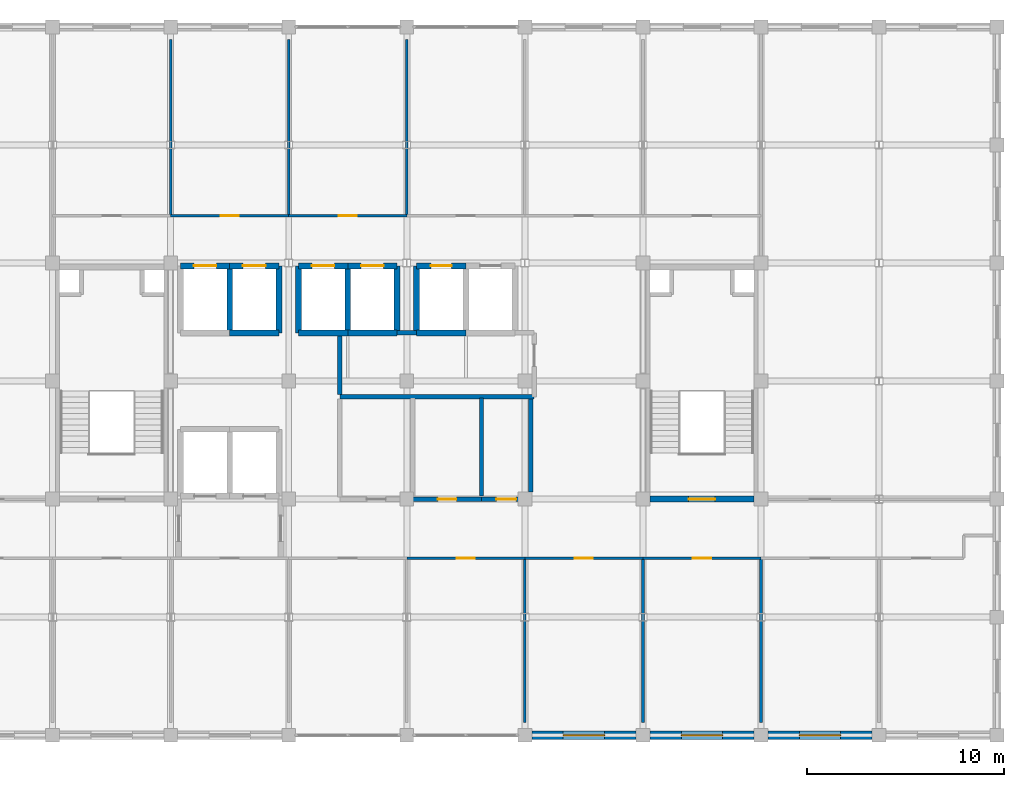
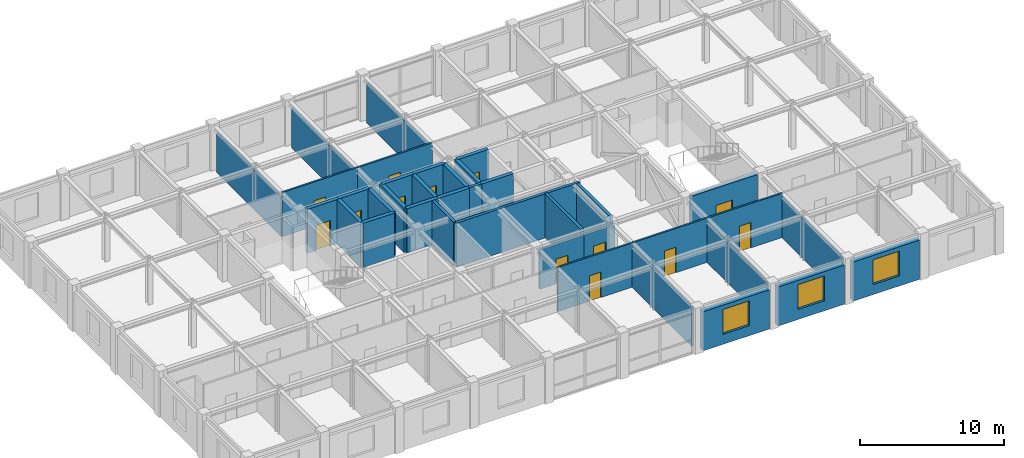
# One storey, part 11 of 14: 37 walls, 13 doors, 3 windows, 16 openings.
"""IFC4 building model written with IfcOpenShell, lengths in metres."""

from ifc_helpers import new_model, si_unit, direction, frame, frame_2d, origin, place, context, subcontext, project, spatial, rectangle, extrude, material, layer, layer_set, type_object, element, fill, save


model = new_model("IFC4")

# Units and contexts
model_context = context("Model", 3, precision=1e-05, world=origin(), true_north=direction((0.0, 1.0)))
body_context = subcontext(model_context, "Body", "Model", "MODEL_VIEW")
ifc_project = project(units=[si_unit("LENGTHUNIT", "METRE"), si_unit("AREAUNIT", "SQUARE_METRE"), si_unit("VOLUMEUNIT", "CUBIC_METRE"), si_unit("PLANEANGLEUNIT", "RADIAN"), si_unit("MASSUNIT", "GRAM", prefix="KILO")], contexts=[model_context])

# Site, building, storey
site_placement = place(None, origin())
site = spatial("IfcSite", under=ifc_project, at=site_placement, CompositionType="ELEMENT")
building_placement = place(site_placement, origin())
building = spatial("IfcBuilding", under=site, at=building_placement, Name="Zlatovratsky Civic Hall", CompositionType="ELEMENT")
storey_placement = place(building_placement, frame((0.0, 0.0, 28.800048828125)))
storey = spatial("IfcBuildingStorey", under=building, at=storey_placement, Name="L07", CompositionType="ELEMENT", Elevation=28.800048828125)

# Wall, opening, door
ifc_material_1 = material(Name="Fire-rated gypsum board framing", Category="gypsum")
ifc_layer_1 = layer(ifc_material_1, 0.139892578125)
ifc_layer_set_1 = layer_set([ifc_layer_1], Name="Fire-rated gypsum board framing")
wall_type_1 = type_object("IfcWallType", Name="Wall_OfficePartition_140", PredefinedType="PARTITIONING", material=ifc_layer_set_1)
wall_1_placement = place(storey_placement, frame((84.0, 81.0, 0.0), z_axis=(0.0, 0.0, 1.0), x_axis=(1.0, 0.0, 0.0)))
wall_1 = element("IfcWall", 1, at=wall_1_placement, inside=storey, type_object=wall_type_1, Name="WL-6361", PredefinedType="PARTITIONING", context=body_context, shape_type="SweptSolid", body=[
    extrude(rectangle(XDim=6.0, YDim=0.139892578125, at=frame_2d((3.0, 0.0))), origin(), (0.0, 0.0, 1.0), 3.739990234375),
])
opening_1_placement = place(wall_1_placement, frame((2.5400390625, 0.0, 0.0)))
opening_1 = element("IfcOpeningElement", 2, at=opening_1_placement, cuts=wall_1, Name="Opening D-23", PredefinedType="OPENING", context=body_context, shape_type="SweptSolid", body=[
    extrude(rectangle(XDim=0.919921875, YDim=2.14990234375, at=frame_2d((0.4599609375, 1.074951171875))), frame((0.0, 0.0849609375, 0.0), z_axis=(0.0, -1.0, 0.0), x_axis=(1.0, 0.0, 0.0)), (0.0, 0.0, 1.0), 0.169677734375),
])
ifc_material_2 = material(Name="Solid oak joinery in steel frame", Category="steel")
door_type_1 = type_object("IfcDoorType", Name="Door_OfficeStandard_920x2150", OperationType="NOTDEFINED", PredefinedType="DOOR", material=ifc_material_2)
door_1_placement = place(opening_1_placement, origin())
door_1 = element("IfcDoor", 3, at=door_1_placement, inside=storey, type_object=door_type_1, Name="DR-5388", OperationType="SINGLE_SWING_RIGHT", OverallHeight=2.14990234375, OverallWidth=0.919921875, PredefinedType="DOOR", context=body_context, shape_type="SweptSolid", body=[
    extrude(rectangle(XDim=0.919921875, YDim=2.14990234375, at=frame_2d((0.4599609375, 1.074951171875))), frame((0.0, 0.02490234375, 0.0), z_axis=(0.0, -1.0, 0.0), x_axis=(1.0, 0.0, 0.0)), (0.0, 0.0, 1.0), 0.050048828125),
])
fill(opening_1, door_1)

wall_2_placement = place(storey_placement, frame((90.0, 81.0, 0.0), z_axis=(0.0, 0.0, 1.0), x_axis=(1.0, 0.0, 0.0)))
wall_2 = element("IfcWall", 4, at=wall_2_placement, inside=storey, type_object=wall_type_1, Name="WL-6362", PredefinedType="PARTITIONING", context=body_context, shape_type="SweptSolid", body=[
    extrude(rectangle(XDim=6.0, YDim=0.139892578125, at=frame_2d((3.0, 0.0))), origin(), (0.0, 0.0, 1.0), 3.739990234375),
])
opening_2_placement = place(wall_2_placement, frame((2.5400390625, 0.0, 0.0)))
opening_2 = element("IfcOpeningElement", 5, at=opening_2_placement, cuts=wall_2, Name="Opening D-23", PredefinedType="OPENING", context=body_context, shape_type="SweptSolid", body=[
    extrude(rectangle(XDim=0.919921875, YDim=2.14990234375, at=frame_2d((0.4599609375, 1.074951171875))), frame((0.0, 0.0849609375, 0.0), z_axis=(0.0, -1.0, 0.0), x_axis=(1.0, 0.0, 0.0)), (0.0, 0.0, 1.0), 0.169677734375),
])
door_2_placement = place(opening_2_placement, origin())
door_2 = element("IfcDoor", 6, at=door_2_placement, inside=storey, type_object=door_type_1, Name="DR-5389", OperationType="SINGLE_SWING_RIGHT", OverallHeight=2.14990234375, OverallWidth=0.919921875, PredefinedType="DOOR", context=body_context, shape_type="SweptSolid", body=[
    extrude(rectangle(XDim=0.919921875, YDim=2.14990234375, at=frame_2d((0.4599609375, 1.074951171875))), frame((0.0, 0.02490234375, 0.0), z_axis=(0.0, -1.0, 0.0), x_axis=(1.0, 0.0, 0.0)), (0.0, 0.0, 1.0), 0.050048828125),
])
fill(opening_2, door_2)

wall_3_placement = place(storey_placement, frame((96.0, 81.0, 0.0), z_axis=(0.0, 0.0, 1.0), x_axis=(1.0, 0.0, 0.0)))
wall_3 = element("IfcWall", 7, at=wall_3_placement, inside=storey, type_object=wall_type_1, Name="WL-6363", PredefinedType="PARTITIONING", context=body_context, shape_type="SweptSolid", body=[
    extrude(rectangle(XDim=6.0, YDim=0.139892578125, at=frame_2d((3.0, 0.0))), origin(), (0.0, 0.0, 1.0), 3.739990234375),
])
opening_3_placement = place(wall_3_placement, frame((2.5400390625, 0.0, 0.0)))
opening_3 = element("IfcOpeningElement", 8, at=opening_3_placement, cuts=wall_3, Name="Opening D-23", PredefinedType="OPENING", context=body_context, shape_type="SweptSolid", body=[
    extrude(rectangle(XDim=0.919921875, YDim=2.14990234375, at=frame_2d((0.4599609375, 1.074951171875))), frame((0.0, 0.0849609375, 0.0), z_axis=(0.0, -1.0, 0.0), x_axis=(1.0, 0.0, 0.0)), (0.0, 0.0, 1.0), 0.169677734375),
])
door_3_placement = place(opening_3_placement, origin())
door_3 = element("IfcDoor", 9, at=door_3_placement, inside=storey, type_object=door_type_1, Name="DR-5390", OperationType="SINGLE_SWING_RIGHT", OverallHeight=2.14990234375, OverallWidth=0.919921875, PredefinedType="DOOR", context=body_context, shape_type="SweptSolid", body=[
    extrude(rectangle(XDim=0.919921875, YDim=2.14990234375, at=frame_2d((0.4599609375, 1.074951171875))), frame((0.0, 0.02490234375, 0.0), z_axis=(0.0, -1.0, 0.0), x_axis=(1.0, 0.0, 0.0)), (0.0, 0.0, 1.0), 0.050048828125),
])
fill(opening_3, door_3)

wall_4_placement = place(storey_placement, frame((72.0, 98.39990234375, 0.0), z_axis=(0.0, 0.0, 1.0), x_axis=(1.0, 0.0, 0.0)))
wall_4 = element("IfcWall", 10, at=wall_4_placement, inside=storey, type_object=wall_type_1, Name="WL-6367", PredefinedType="PARTITIONING", context=body_context, shape_type="SweptSolid", body=[
    extrude(rectangle(XDim=6.0, YDim=0.139892578125, at=frame_2d((3.0, 0.0))), origin(), (0.0, 0.0, 1.0), 3.739990234375),
])
opening_4_placement = place(wall_4_placement, frame((2.5400390625, 0.0, 0.0)))
opening_4 = element("IfcOpeningElement", 11, at=opening_4_placement, cuts=wall_4, Name="Opening D-23", PredefinedType="OPENING", context=body_context, shape_type="SweptSolid", body=[
    extrude(rectangle(XDim=0.919921875, YDim=2.14990234375, at=frame_2d((0.4599609375, 1.074951171875))), frame((0.0, 0.0849609375, 0.0), z_axis=(0.0, -1.0, 0.0), x_axis=(1.0, 0.0, 0.0)), (0.0, 0.0, 1.0), 0.169677734375),
])
door_4_placement = place(opening_4_placement, origin())
door_4 = element("IfcDoor", 12, at=door_4_placement, inside=storey, type_object=door_type_1, Name="DR-5394", OperationType="SINGLE_SWING_RIGHT", OverallHeight=2.14990234375, OverallWidth=0.919921875, PredefinedType="DOOR", context=body_context, shape_type="SweptSolid", body=[
    extrude(rectangle(XDim=0.919921875, YDim=2.14990234375, at=frame_2d((0.4599609375, 1.074951171875))), frame((0.0, 0.02490234375, 0.0), z_axis=(0.0, -1.0, 0.0), x_axis=(1.0, 0.0, 0.0)), (0.0, 0.0, 1.0), 0.050048828125),
])
fill(opening_4, door_4)

wall_5_placement = place(storey_placement, frame((78.0, 98.39990234375, 0.0), z_axis=(0.0, 0.0, 1.0), x_axis=(1.0, 0.0, 0.0)))
wall_5 = element("IfcWall", 13, at=wall_5_placement, inside=storey, type_object=wall_type_1, Name="WL-6368", PredefinedType="PARTITIONING", context=body_context, shape_type="SweptSolid", body=[
    extrude(rectangle(XDim=6.0, YDim=0.139892578125, at=frame_2d((3.0, 0.0))), origin(), (0.0, 0.0, 1.0), 3.739990234375),
])
opening_5_placement = place(wall_5_placement, frame((2.5400390625, 0.0, 0.0)))
opening_5 = element("IfcOpeningElement", 14, at=opening_5_placement, cuts=wall_5, Name="Opening D-23", PredefinedType="OPENING", context=body_context, shape_type="SweptSolid", body=[
    extrude(rectangle(XDim=0.919921875, YDim=2.14990234375, at=frame_2d((0.4599609375, 1.074951171875))), frame((0.0, 0.0849609375, 0.0), z_axis=(0.0, -1.0, 0.0), x_axis=(1.0, 0.0, 0.0)), (0.0, 0.0, 1.0), 0.169677734375),
])
door_5_placement = place(opening_5_placement, origin())
door_5 = element("IfcDoor", 15, at=door_5_placement, inside=storey, type_object=door_type_1, Name="DR-5395", OperationType="SINGLE_SWING_RIGHT", OverallHeight=2.14990234375, OverallWidth=0.919921875, PredefinedType="DOOR", context=body_context, shape_type="SweptSolid", body=[
    extrude(rectangle(XDim=0.919921875, YDim=2.14990234375, at=frame_2d((0.4599609375, 1.074951171875))), frame((0.0, 0.02490234375, 0.0), z_axis=(0.0, -1.0, 0.0), x_axis=(1.0, 0.0, 0.0)), (0.0, 0.0, 1.0), 0.050048828125),
])
fill(opening_5, door_5)

# Walls
for number, where, z_axis, x_axis, name in (
    (16, (90.0, 72.64990234375, 0.0), (0.0, 0.0, 1.0), (0.0, 1.0, 0.0), "WL-6379"),
    (17, (96.0, 72.64990234375, 0.0), (0.0, 0.0, 1.0), (0.0, 1.0, 0.0), "WL-6380"),
    (18, (102.0, 72.64990234375, 0.0), (0.0, 0.0, 1.0), (0.0, 1.0, 0.0), "WL-6381"),
):
    element("IfcWall", number, at=place(storey_placement, frame(where, z_axis=z_axis, x_axis=x_axis)), inside=storey, type_object=wall_type_1, Name=name, PredefinedType="PARTITIONING", context=body_context, shape_type="SweptSolid", body=[
        extrude(rectangle(XDim=8.35009765625, YDim=0.139892578125, at=frame_2d((4.175048828125, 0.0))), origin(), (0.0, 0.0, 1.0), 3.35205078125),
    ])
for number, where, z_axis, x_axis, name in (
    (19, (72.0, 98.39990234375, 0.0), (0.0, 0.0, 1.0), (0.0, 1.0, 0.0), "WL-6383"),
    (20, (78.0, 98.39990234375, 0.0), (0.0, 0.0, 1.0), (0.0, 1.0, 0.0), "WL-6384"),
    (21, (84.0, 98.39990234375, 0.0), (0.0, 0.0, 1.0), (0.0, 1.0, 0.0), "WL-6385"),
):
    element("IfcWall", number, at=place(storey_placement, frame(where, z_axis=z_axis, x_axis=x_axis)), inside=storey, type_object=wall_type_1, Name=name, PredefinedType="PARTITIONING", context=body_context, shape_type="SweptSolid", body=[
        extrude(rectangle(XDim=8.9501953125, YDim=0.139892578125, at=frame_2d((4.47509765625, 0.0))), origin(), (0.0, 0.0, 1.0), 3.35205078125),
    ])

# Wall, opening, door
ifc_material_3 = material(Name="Acoustic ceramic blockwork", Category="masonry")
ifc_layer_2 = layer(ifc_material_3, 0.219970703125)
ifc_layer_set_2 = layer_set([ifc_layer_2], Name="Acoustic ceramic blockwork")
wall_type_2 = type_object("IfcWallType", Name="Wall_SanitaryWetCore_220", PredefinedType="PARTITIONING", material=ifc_layer_set_2)
wall_6_placement = place(storey_placement, frame((84.300048828125, 84.0, 0.0), z_axis=(0.0, 0.0, 1.0), x_axis=(1.0, 0.0, 0.0)))
wall_6 = element("IfcWall", 22, at=wall_6_placement, inside=storey, type_object=wall_type_2, Name="WL-6350", PredefinedType="PARTITIONING", context=body_context, shape_type="SweptSolid", body=[
    extrude(rectangle(XDim=3.5, YDim=0.219970703125, at=frame_2d((1.75, 0.0))), origin(), (0.0, 0.0, 1.0), 3.35205078125),
])
opening_6_placement = place(wall_6_placement, frame((1.27490234375, 0.0, 0.0)))
opening_6 = element("IfcOpeningElement", 23, at=opening_6_placement, cuts=wall_6, Name="Opening D-22", PredefinedType="OPENING", context=body_context, shape_type="SweptSolid", body=[
    extrude(rectangle(XDim=0.949951171875, YDim=2.10009765625, at=frame_2d((0.47509765625, 1.050048828125))), frame((0.0, 0.125, 0.0), z_axis=(0.0, -1.0, 0.0), x_axis=(1.0, 0.0, 0.0)), (0.0, 0.0, 1.0), 0.249755859375),
])
door_type_2 = type_object("IfcDoorType", Name="Door_WomensWC_950x2100", OperationType="NOTDEFINED", PredefinedType="DOOR", material=ifc_material_2)
door_6_placement = place(opening_6_placement, origin())
door_6 = element("IfcDoor", 24, at=door_6_placement, inside=storey, type_object=door_type_2, Name="DR-5380", OperationType="SINGLE_SWING_RIGHT", OverallHeight=2.10009765625, OverallWidth=0.949951171875, PredefinedType="DOOR", context=body_context, shape_type="SweptSolid", body=[
    extrude(rectangle(XDim=0.949951171875, YDim=2.10009765625, at=frame_2d((0.47509765625, 1.050048828125))), frame((0.0, 0.02490234375, 0.0), z_axis=(0.0, -1.0, 0.0), x_axis=(1.0, 0.0, 0.0)), (0.0, 0.0, 1.0), 0.050048828125),
])
fill(opening_6, door_6)

wall_7_placement = place(storey_placement, frame((87.800048828125, 84.0, 0.0), z_axis=(0.0, 0.0, 1.0), x_axis=(1.0, 0.0, 0.0)))
wall_7 = element("IfcWall", 25, at=wall_7_placement, inside=storey, type_object=wall_type_2, Name="WL-6351", PredefinedType="PARTITIONING", context=body_context, shape_type="SweptSolid", body=[
    extrude(rectangle(XDim=2.5, YDim=0.219970703125, at=frame_2d((1.25, 0.0))), origin(), (0.0, 0.0, 1.0), 3.35205078125),
])
opening_7_placement = place(wall_7_placement, frame((0.75, 0.0, 0.0)))
opening_7 = element("IfcOpeningElement", 26, at=opening_7_placement, cuts=wall_7, Name="Opening D-20", PredefinedType="OPENING", context=body_context, shape_type="SweptSolid", body=[
    extrude(rectangle(XDim=1.0, YDim=2.14990234375, at=frame_2d((0.5, 1.074951171875))), frame((0.0, 0.125, 0.0), z_axis=(0.0, -1.0, 0.0), x_axis=(1.0, 0.0, 0.0)), (0.0, 0.0, 1.0), 0.249755859375),
])
door_type_3 = type_object("IfcDoorType", Name="Door_AccessibleWC_1000x2150", OperationType="NOTDEFINED", PredefinedType="DOOR", material=ifc_material_2)
door_7_placement = place(opening_7_placement, origin())
door_7 = element("IfcDoor", 27, at=door_7_placement, inside=storey, type_object=door_type_3, Name="DR-5381", OperationType="SINGLE_SWING_LEFT", OverallHeight=2.14990234375, OverallWidth=1.0, PredefinedType="DOOR", context=body_context, shape_type="SweptSolid", body=[
    extrude(rectangle(XDim=1.0, YDim=2.14990234375, at=frame_2d((0.5, 1.074951171875))), frame((0.0, 0.02490234375, 0.0), z_axis=(0.0, -1.0, 0.0), x_axis=(1.0, 0.0, 0.0)), (0.0, 0.0, 1.0), 0.050048828125),
])
fill(opening_7, door_7)

# Walls
wall_8_placement = place(storey_placement, frame((87.800048828125, 84.14990234375, 0.0), z_axis=(0.0, 0.0, 1.0), x_axis=(0.0, 1.0, 0.0)))
element("IfcWall", 28, at=wall_8_placement, inside=storey, type_object=wall_type_2, Name="WL-6353", PredefinedType="PARTITIONING", context=body_context, shape_type="SweptSolid", body=[
    extrude(rectangle(XDim=5.0, YDim=0.219970703125, at=frame_2d((2.5, 0.0))), origin(), (0.0, 0.0, 1.0), 3.739990234375),
])
wall_9_placement = place(storey_placement, frame((80.60009765625, 89.199951171875, 0.0), z_axis=(0.0, 0.0, 1.0), x_axis=(1.0, 0.0, 0.0)))
element("IfcWall", 29, at=wall_9_placement, inside=storey, type_object=wall_type_2, Name="WL-6354", PredefinedType="PARTITIONING", context=body_context, shape_type="SweptSolid", body=[
    extrude(rectangle(XDim=9.869873046875, YDim=0.219970703125, at=frame_2d((4.93505859375, 0.0))), origin(), (0.0, 0.0, 1.0), 3.739990234375),
])
wall_10_placement = place(storey_placement, frame((90.300048828125, 84.360107421875, 0.0), z_axis=(0.0, 0.0, 1.0), x_axis=(0.0, 1.0, 0.0)))
element("IfcWall", 30, at=wall_10_placement, inside=storey, type_object=wall_type_2, Name="WL-6389", PredefinedType="PARTITIONING", context=body_context, shape_type="SweptSolid", body=[
    extrude(rectangle(XDim=4.72998046875, YDim=0.219970703125, at=frame_2d((2.364990234375, 0.0))), origin(), (0.0, 0.0, 1.0), 3.739990234375),
])
wall_11_placement = place(storey_placement, frame((80.60009765625, 89.31005859375, 0.0), z_axis=(0.0, 0.0, 1.0), x_axis=(0.0, 1.0, 0.0)))
element("IfcWall", 31, at=wall_11_placement, inside=storey, type_object=wall_type_2, Name="WL-6390", PredefinedType="PARTITIONING", context=body_context, shape_type="SweptSolid", body=[
    extrude(rectangle(XDim=2.989990234375, YDim=0.219970703125, at=frame_2d((1.4951171875, 0.0))), origin(), (0.0, 0.0, 1.0), 3.739990234375),
])
wall_12_placement = place(storey_placement, frame((83.5, 92.449951171875, 0.0), z_axis=(0.0, 0.0, 1.0), x_axis=(1.0, 0.0, 0.0)))
element("IfcWall", 32, at=wall_12_placement, inside=storey, type_object=wall_type_2, Name="WL-6391", PredefinedType="PARTITIONING", context=body_context, shape_type="SweptSolid", body=[
    extrude(rectangle(XDim=1.0, YDim=0.219970703125, at=frame_2d((0.5, 0.0))), origin(), (0.0, 0.0, 1.0), 3.739990234375),
])

# Wall, opening, door
ifc_material_4 = material(Name="Concrete C35/45 (B40)", Category="concrete")
ifc_layer_3 = layer(ifc_material_4, 0.300048828125)
ifc_layer_set_3 = layer_set([ifc_layer_3], Name="Concrete C35/45 (B40)")
wall_type_3 = type_object("IfcWallType", Name="Wall_StairAndLiftShaft_300", PredefinedType="SHEAR", material=ifc_layer_set_3)
wall_13_placement = place(storey_placement, frame((96.35009765625, 84.0, 0.0), z_axis=(0.0, 0.0, 1.0), x_axis=(1.0, 0.0, 0.0)))
wall_13 = element("IfcWall", 33, at=wall_13_placement, inside=storey, type_object=wall_type_3, Name="WL-5215", PredefinedType="SHEAR", context=body_context, shape_type="SweptSolid", body=[
    extrude(rectangle(XDim=5.2998046875, YDim=0.300048828125, at=frame_2d((2.64990234375, 0.0))), origin(), (0.0, 0.0, 1.0), 3.659912109375),
])
opening_8_placement = place(wall_13_placement, frame((1.97509765625, 0.0, 0.0)))
opening_8 = element("IfcOpeningElement", 34, at=opening_8_placement, cuts=wall_13, Name="Opening D-17", PredefinedType="OPENING", context=body_context, shape_type="SweptSolid", body=[
    extrude(rectangle(XDim=1.35009765625, YDim=2.199951171875, at=frame_2d((0.675048828125, 1.10009765625))), frame((0.0, 0.1650390625, 0.0), z_axis=(0.0, -1.0, 0.0), x_axis=(1.0, 0.0, 0.0)), (0.0, 0.0, 1.0), 0.329833984375),
])
ifc_material_5 = material(Name="Insulated painted fire-rated steel leaf", Category="steel")
door_type_4 = type_object("IfcDoorType", Name="Door_StairwellFireTower_1350x2200", OperationType="NOTDEFINED", PredefinedType="DOOR", material=ifc_material_5)
door_8_placement = place(opening_8_placement, origin())
door_8 = element("IfcDoor", 35, at=door_8_placement, inside=storey, type_object=door_type_4, Name="DR-5027", OperationType="SINGLE_SWING_LEFT", OverallHeight=2.199951171875, OverallWidth=1.35009765625, PredefinedType="DOOR", context=body_context, shape_type="SweptSolid", body=[
    extrude(rectangle(XDim=1.35009765625, YDim=2.199951171875, at=frame_2d((0.675048828125, 1.10009765625))), frame((0.0, 0.02490234375, 0.0), z_axis=(0.0, -1.0, 0.0), x_axis=(1.0, 0.0, 0.0)), (0.0, 0.0, 1.0), 0.050048828125),
])
fill(opening_8, door_8)

wall_14_placement = place(storey_placement, frame((72.5, 95.85009765625, 0.0), z_axis=(0.0, 0.0, 1.0), x_axis=(1.0, 0.0, 0.0)))
wall_14 = element("IfcWall", 36, at=wall_14_placement, inside=storey, type_object=wall_type_3, Name="WL-5647", PredefinedType="SHEAR", context=body_context, shape_type="SweptSolid", body=[
    extrude(rectangle(XDim=2.5, YDim=0.300048828125, at=frame_2d((1.25, 0.0))), origin(), (0.0, 0.0, 1.0), 3.739990234375),
])
opening_9_placement = place(wall_14_placement, frame((0.675048828125, 0.0, 0.0)))
opening_9 = element("IfcOpeningElement", 37, at=opening_9_placement, cuts=wall_14, Name="Opening LD-02", PredefinedType="OPENING", context=body_context, shape_type="SweptSolid", body=[
    extrude(rectangle(XDim=1.14990234375, YDim=2.14990234375, at=frame_2d((0.574951171875, 1.074951171875))), frame((0.0, 0.1650390625, 0.0), z_axis=(0.0, -1.0, 0.0), x_axis=(1.0, 0.0, 0.0)), (0.0, 0.0, 1.0), 0.329833984375),
])
ifc_material_6 = material(Name="Brushed stainless steel AISI 304", Category="steel")
door_type_5 = type_object("IfcDoorType", Name="Door_LiftLandingHighRise_1150x2150", OperationType="DOUBLE_DOOR_SLIDING", PredefinedType="DOOR", material=ifc_material_6)
door_9_placement = place(opening_9_placement, origin())
door_9 = element("IfcDoor", 38, at=door_9_placement, inside=storey, type_object=door_type_5, Name="Lift landing door LD-5104", OperationType="DOUBLE_DOOR_SLIDING", OverallHeight=2.14990234375, OverallWidth=1.14990234375, PredefinedType="DOOR", context=body_context, shape_type="SweptSolid", body=[
    extrude(rectangle(XDim=1.14990234375, YDim=2.14990234375, at=frame_2d((0.574951171875, 1.074951171875))), frame((0.0, 0.02490234375, 0.0), z_axis=(0.0, -1.0, 0.0), x_axis=(1.0, 0.0, 0.0)), (0.0, 0.0, 1.0), 0.050048828125),
])
fill(opening_9, door_9)

wall_15_placement = place(storey_placement, frame((75.0, 95.85009765625, 0.0), z_axis=(0.0, 0.0, 1.0), x_axis=(1.0, 0.0, 0.0)))
wall_15 = element("IfcWall", 39, at=wall_15_placement, inside=storey, type_object=wall_type_3, Name="WL-5711", PredefinedType="SHEAR", context=body_context, shape_type="SweptSolid", body=[
    extrude(rectangle(XDim=2.5, YDim=0.300048828125, at=frame_2d((1.25, 0.0))), origin(), (0.0, 0.0, 1.0), 3.739990234375),
])
opening_10_placement = place(wall_15_placement, frame((0.675048828125, 0.0, 0.0)))
opening_10 = element("IfcOpeningElement", 40, at=opening_10_placement, cuts=wall_15, Name="Opening LD-02", PredefinedType="OPENING", context=body_context, shape_type="SweptSolid", body=[
    extrude(rectangle(XDim=1.14990234375, YDim=2.14990234375, at=frame_2d((0.574951171875, 1.074951171875))), frame((0.0, 0.1650390625, 0.0), z_axis=(0.0, -1.0, 0.0), x_axis=(1.0, 0.0, 0.0)), (0.0, 0.0, 1.0), 0.329833984375),
])
door_10_placement = place(opening_10_placement, origin())
door_10 = element("IfcDoor", 41, at=door_10_placement, inside=storey, type_object=door_type_5, Name="Lift landing door LD-5123", OperationType="DOUBLE_DOOR_SLIDING", OverallHeight=2.14990234375, OverallWidth=1.14990234375, PredefinedType="DOOR", context=body_context, shape_type="SweptSolid", body=[
    extrude(rectangle(XDim=1.14990234375, YDim=2.14990234375, at=frame_2d((0.574951171875, 1.074951171875))), frame((0.0, 0.02490234375, 0.0), z_axis=(0.0, -1.0, 0.0), x_axis=(1.0, 0.0, 0.0)), (0.0, 0.0, 1.0), 0.050048828125),
])
fill(opening_10, door_10)

# Walls
wall_16_placement = place(storey_placement, frame((75.0, 92.449951171875, 0.0), z_axis=(0.0, 0.0, 1.0), x_axis=(1.0, 0.0, 0.0)))
element("IfcWall", 42, at=wall_16_placement, inside=storey, type_object=wall_type_3, Name="WL-5712", PredefinedType="SHEAR", context=body_context, shape_type="SweptSolid", body=[
    extrude(rectangle(XDim=2.5, YDim=0.300048828125, at=frame_2d((1.25, 0.0))), origin(), (0.0, 0.0, 1.0), 3.739990234375),
])
for number, where, z_axis, x_axis, name in (
    (43, (75.0, 92.449951171875, 0.0), (0.0, 0.0, 1.0), (0.0, 1.0, 0.0), "WL-5713"),
    (44, (77.5, 92.449951171875, 0.0), (0.0, 0.0, 1.0), (0.0, 1.0, 0.0), "WL-5714"),
):
    element("IfcWall", number, at=place(storey_placement, frame(where, z_axis=z_axis, x_axis=x_axis)), inside=storey, type_object=wall_type_3, Name=name, PredefinedType="SHEAR", context=body_context, shape_type="SweptSolid", body=[
        extrude(rectangle(XDim=3.400146484375, YDim=0.300048828125, at=frame_2d((1.7001953125, 0.0))), origin(), (0.0, 0.0, 1.0), 3.739990234375),
    ])

# Wall, opening, door
wall_17_placement = place(storey_placement, frame((78.5, 95.85009765625, 0.0), z_axis=(0.0, 0.0, 1.0), x_axis=(1.0, 0.0, 0.0)))
wall_17 = element("IfcWall", 45, at=wall_17_placement, inside=storey, type_object=wall_type_3, Name="WL-5780", PredefinedType="SHEAR", context=body_context, shape_type="SweptSolid", body=[
    extrude(rectangle(XDim=2.5, YDim=0.300048828125, at=frame_2d((1.25, 0.0))), origin(), (0.0, 0.0, 1.0), 3.739990234375),
])
opening_11_placement = place(wall_17_placement, frame((0.675048828125, 0.0, 0.0)))
opening_11 = element("IfcOpeningElement", 46, at=opening_11_placement, cuts=wall_17, Name="Opening LD-02", PredefinedType="OPENING", context=body_context, shape_type="SweptSolid", body=[
    extrude(rectangle(XDim=1.14990234375, YDim=2.14990234375, at=frame_2d((0.574951171875, 1.074951171875))), frame((0.0, 0.1650390625, 0.0), z_axis=(0.0, -1.0, 0.0), x_axis=(1.0, 0.0, 0.0)), (0.0, 0.0, 1.0), 0.329833984375),
])
door_11_placement = place(opening_11_placement, origin())
door_11 = element("IfcDoor", 47, at=door_11_placement, inside=storey, type_object=door_type_5, Name="Lift landing door LD-5142", OperationType="DOUBLE_DOOR_SLIDING", OverallHeight=2.14990234375, OverallWidth=1.14990234375, PredefinedType="DOOR", context=body_context, shape_type="SweptSolid", body=[
    extrude(rectangle(XDim=1.14990234375, YDim=2.14990234375, at=frame_2d((0.574951171875, 1.074951171875))), frame((0.0, 0.02490234375, 0.0), z_axis=(0.0, -1.0, 0.0), x_axis=(1.0, 0.0, 0.0)), (0.0, 0.0, 1.0), 0.050048828125),
])
fill(opening_11, door_11)

# Walls
wall_18_placement = place(storey_placement, frame((78.5, 92.449951171875, 0.0), z_axis=(0.0, 0.0, 1.0), x_axis=(1.0, 0.0, 0.0)))
element("IfcWall", 48, at=wall_18_placement, inside=storey, type_object=wall_type_3, Name="WL-5781", PredefinedType="SHEAR", context=body_context, shape_type="SweptSolid", body=[
    extrude(rectangle(XDim=2.5, YDim=0.300048828125, at=frame_2d((1.25, 0.0))), origin(), (0.0, 0.0, 1.0), 3.739990234375),
])
wall_19_placement = place(storey_placement, frame((78.5, 92.449951171875, 0.0), z_axis=(0.0, 0.0, 1.0), x_axis=(0.0, 1.0, 0.0)))
element("IfcWall", 49, at=wall_19_placement, inside=storey, type_object=wall_type_3, Name="WL-5782", PredefinedType="SHEAR", context=body_context, shape_type="SweptSolid", body=[
    extrude(rectangle(XDim=3.400146484375, YDim=0.300048828125, at=frame_2d((1.7001953125, 0.0))), origin(), (0.0, 0.0, 1.0), 3.739990234375),
])

# Wall, opening, door
wall_20_placement = place(storey_placement, frame((81.0, 95.85009765625, 0.0), z_axis=(0.0, 0.0, 1.0), x_axis=(1.0, 0.0, 0.0)))
wall_20 = element("IfcWall", 50, at=wall_20_placement, inside=storey, type_object=wall_type_3, Name="WL-5844", PredefinedType="SHEAR", context=body_context, shape_type="SweptSolid", body=[
    extrude(rectangle(XDim=2.5, YDim=0.300048828125, at=frame_2d((1.25, 0.0))), origin(), (0.0, 0.0, 1.0), 3.739990234375),
])
opening_12_placement = place(wall_20_placement, frame((0.675048828125, 0.0, 0.0)))
opening_12 = element("IfcOpeningElement", 51, at=opening_12_placement, cuts=wall_20, Name="Opening LD-02", PredefinedType="OPENING", context=body_context, shape_type="SweptSolid", body=[
    extrude(rectangle(XDim=1.14990234375, YDim=2.14990234375, at=frame_2d((0.574951171875, 1.074951171875))), frame((0.0, 0.1650390625, 0.0), z_axis=(0.0, -1.0, 0.0), x_axis=(1.0, 0.0, 0.0)), (0.0, 0.0, 1.0), 0.329833984375),
])
door_12_placement = place(opening_12_placement, origin())
door_12 = element("IfcDoor", 52, at=door_12_placement, inside=storey, type_object=door_type_5, Name="Lift landing door LD-5161", OperationType="DOUBLE_DOOR_SLIDING", OverallHeight=2.14990234375, OverallWidth=1.14990234375, PredefinedType="DOOR", context=body_context, shape_type="SweptSolid", body=[
    extrude(rectangle(XDim=1.14990234375, YDim=2.14990234375, at=frame_2d((0.574951171875, 1.074951171875))), frame((0.0, 0.02490234375, 0.0), z_axis=(0.0, -1.0, 0.0), x_axis=(1.0, 0.0, 0.0)), (0.0, 0.0, 1.0), 0.050048828125),
])
fill(opening_12, door_12)

# Walls
wall_21_placement = place(storey_placement, frame((81.0, 92.449951171875, 0.0), z_axis=(0.0, 0.0, 1.0), x_axis=(1.0, 0.0, 0.0)))
element("IfcWall", 53, at=wall_21_placement, inside=storey, type_object=wall_type_3, Name="WL-5845", PredefinedType="SHEAR", context=body_context, shape_type="SweptSolid", body=[
    extrude(rectangle(XDim=2.5, YDim=0.300048828125, at=frame_2d((1.25, 0.0))), origin(), (0.0, 0.0, 1.0), 3.739990234375),
])
for number, where, z_axis, x_axis, name in (
    (54, (81.0, 92.449951171875, 0.0), (0.0, 0.0, 1.0), (0.0, 1.0, 0.0), "WL-5846"),
    (55, (83.5, 92.449951171875, 0.0), (0.0, 0.0, 1.0), (0.0, 1.0, 0.0), "WL-5847"),
):
    element("IfcWall", number, at=place(storey_placement, frame(where, z_axis=z_axis, x_axis=x_axis)), inside=storey, type_object=wall_type_3, Name=name, PredefinedType="SHEAR", context=body_context, shape_type="SweptSolid", body=[
        extrude(rectangle(XDim=3.400146484375, YDim=0.300048828125, at=frame_2d((1.7001953125, 0.0))), origin(), (0.0, 0.0, 1.0), 3.739990234375),
    ])

# Wall, opening, door
wall_22_placement = place(storey_placement, frame((84.5, 95.85009765625, 0.0), z_axis=(0.0, 0.0, 1.0), x_axis=(1.0, 0.0, 0.0)))
wall_22 = element("IfcWall", 56, at=wall_22_placement, inside=storey, type_object=wall_type_3, Name="WL-5913", PredefinedType="SHEAR", context=body_context, shape_type="SweptSolid", body=[
    extrude(rectangle(XDim=2.5, YDim=0.300048828125, at=frame_2d((1.25, 0.0))), origin(), (0.0, 0.0, 1.0), 3.739990234375),
])
opening_13_placement = place(wall_22_placement, frame((0.72509765625, 0.0, 0.0)))
opening_13 = element("IfcOpeningElement", 57, at=opening_13_placement, cuts=wall_22, Name="Opening LD-03", PredefinedType="OPENING", context=body_context, shape_type="SweptSolid", body=[
    extrude(rectangle(XDim=1.050048828125, YDim=2.10009765625, at=frame_2d((0.52490234375, 1.050048828125))), frame((0.0, 0.1650390625, 0.0), z_axis=(0.0, -1.0, 0.0), x_axis=(1.0, 0.0, 0.0)), (0.0, 0.0, 1.0), 0.329833984375),
])
door_type_6 = type_object("IfcDoorType", Name="Door_LiftLandingMidRise_1050x2100", OperationType="DOUBLE_DOOR_SLIDING", PredefinedType="DOOR", material=ifc_material_6)
door_13_placement = place(opening_13_placement, origin())
door_13 = element("IfcDoor", 58, at=door_13_placement, inside=storey, type_object=door_type_6, Name="Lift landing door LD-5180", OperationType="DOUBLE_DOOR_SLIDING", OverallHeight=2.10009765625, OverallWidth=1.050048828125, PredefinedType="DOOR", context=body_context, shape_type="SweptSolid", body=[
    extrude(rectangle(XDim=1.050048828125, YDim=2.10009765625, at=frame_2d((0.52490234375, 1.050048828125))), frame((0.0, 0.02490234375, 0.0), z_axis=(0.0, -1.0, 0.0), x_axis=(1.0, 0.0, 0.0)), (0.0, 0.0, 1.0), 0.050048828125),
])
fill(opening_13, door_13)

# Walls
wall_23_placement = place(storey_placement, frame((84.5, 92.449951171875, 0.0), z_axis=(0.0, 0.0, 1.0), x_axis=(1.0, 0.0, 0.0)))
element("IfcWall", 59, at=wall_23_placement, inside=storey, type_object=wall_type_3, Name="WL-5914", PredefinedType="SHEAR", context=body_context, shape_type="SweptSolid", body=[
    extrude(rectangle(XDim=2.5, YDim=0.300048828125, at=frame_2d((1.25, 0.0))), origin(), (0.0, 0.0, 1.0), 3.739990234375),
])
wall_24_placement = place(storey_placement, frame((84.5, 92.449951171875, 0.0), z_axis=(0.0, 0.0, 1.0), x_axis=(0.0, 1.0, 0.0)))
element("IfcWall", 60, at=wall_24_placement, inside=storey, type_object=wall_type_3, Name="WL-5915", PredefinedType="SHEAR", context=body_context, shape_type="SweptSolid", body=[
    extrude(rectangle(XDim=3.400146484375, YDim=0.300048828125, at=frame_2d((1.7001953125, 0.0))), origin(), (0.0, 0.0, 1.0), 3.739990234375),
])

# Wall, opening, window
ifc_layer_4 = layer(ifc_material_3, 0.280029296875, Name="Backing")
ifc_material_7 = material(Name="Podolsk limestone ashlar", Category="masonry")
ifc_layer_5 = layer(ifc_material_7, 0.139892578125, Name="Finish")
ifc_layer_set_4 = layer_set([ifc_layer_4, ifc_layer_5], Name="Acoustic ceramic blockwork")
wall_type_4 = type_object("IfcWallType", Name="Wall_TowerLimestoneAshlar_420", PredefinedType="SOLIDWALL", material=ifc_layer_set_4)
wall_25_placement = place(storey_placement, frame((90.35009765625, 72.0, 0.0), z_axis=(0.0, 0.0, 1.0), x_axis=(1.0, 0.0, 0.0)))
wall_25 = element("IfcWall", 61, at=wall_25_placement, inside=storey, type_object=wall_type_4, Name="WL-0449", PredefinedType="SOLIDWALL", context=body_context, shape_type="SweptSolid", body=[
    extrude(rectangle(XDim=5.2998046875, YDim=0.419921875, at=frame_2d((2.64990234375, 0.0))), origin(), (0.0, 0.0, 1.0), 3.320068359375),
])
opening_14_placement = place(wall_25_placement, frame((1.60009765625, 0.0, 0.85009765625)))
opening_14 = element("IfcOpeningElement", 62, at=opening_14_placement, cuts=wall_25, Name="Opening WN-14", PredefinedType="OPENING", context=body_context, shape_type="SweptSolid", body=[
    extrude(rectangle(XDim=2.10009765625, YDim=2.10009765625, at=frame_2d((1.050048828125, 1.050048828125))), frame((0.0, 0.224853515625, 0.0), z_axis=(0.0, -1.0, 0.0), x_axis=(1.0, 0.0, 0.0)), (0.0, 0.0, 1.0), 0.44970703125),
])
ifc_material_8 = material(Name="Low-E laminated double glazing", Category="glass")
window_type = type_object("IfcWindowType", Name="Window_TowerTier1South_2100x2100", PartitioningType="SINGLE_PANEL", PredefinedType="WINDOW", material=ifc_material_8)
window_1_placement = place(opening_14_placement, origin())
window_1 = element("IfcWindow", 63, at=window_1_placement, inside=storey, type_object=window_type, Name="WN-0353", OverallHeight=2.10009765625, OverallWidth=2.10009765625, PartitioningType="SINGLE_PANEL", PredefinedType="WINDOW", context=body_context, shape_type="SweptSolid", body=[
    extrude(rectangle(XDim=2.10009765625, YDim=2.10009765625, at=frame_2d((1.050048828125, 1.050048828125))), frame((0.0, 0.030029296875, 0.0), z_axis=(0.0, -1.0, 0.0), x_axis=(1.0, 0.0, 0.0)), (0.0, 0.0, 1.0), 0.06005859375),
])
fill(opening_14, window_1)

wall_26_placement = place(storey_placement, frame((96.35009765625, 72.0, 0.0), z_axis=(0.0, 0.0, 1.0), x_axis=(1.0, 0.0, 0.0)))
wall_26 = element("IfcWall", 64, at=wall_26_placement, inside=storey, type_object=wall_type_4, Name="WL-0450", PredefinedType="SOLIDWALL", context=body_context, shape_type="SweptSolid", body=[
    extrude(rectangle(XDim=5.2998046875, YDim=0.419921875, at=frame_2d((2.64990234375, 0.0))), origin(), (0.0, 0.0, 1.0), 3.320068359375),
])
opening_15_placement = place(wall_26_placement, frame((1.60009765625, 0.0, 0.85009765625)))
opening_15 = element("IfcOpeningElement", 65, at=opening_15_placement, cuts=wall_26, Name="Opening WN-14", PredefinedType="OPENING", context=body_context, shape_type="SweptSolid", body=[
    extrude(rectangle(XDim=2.10009765625, YDim=2.10009765625, at=frame_2d((1.050048828125, 1.050048828125))), frame((0.0, 0.224853515625, 0.0), z_axis=(0.0, -1.0, 0.0), x_axis=(1.0, 0.0, 0.0)), (0.0, 0.0, 1.0), 0.44970703125),
])
window_2_placement = place(opening_15_placement, origin())
window_2 = element("IfcWindow", 66, at=window_2_placement, inside=storey, type_object=window_type, Name="WN-0354", OverallHeight=2.10009765625, OverallWidth=2.10009765625, PartitioningType="SINGLE_PANEL", PredefinedType="WINDOW", context=body_context, shape_type="SweptSolid", body=[
    extrude(rectangle(XDim=2.10009765625, YDim=2.10009765625, at=frame_2d((1.050048828125, 1.050048828125))), frame((0.0, 0.030029296875, 0.0), z_axis=(0.0, -1.0, 0.0), x_axis=(1.0, 0.0, 0.0)), (0.0, 0.0, 1.0), 0.06005859375),
])
fill(opening_15, window_2)

wall_27_placement = place(storey_placement, frame((102.35009765625, 72.0, 0.0), z_axis=(0.0, 0.0, 1.0), x_axis=(1.0, 0.0, 0.0)))
wall_27 = element("IfcWall", 67, at=wall_27_placement, inside=storey, type_object=wall_type_4, Name="WL-0451", PredefinedType="SOLIDWALL", context=body_context, shape_type="SweptSolid", body=[
    extrude(rectangle(XDim=5.2998046875, YDim=0.419921875, at=frame_2d((2.64990234375, 0.0))), origin(), (0.0, 0.0, 1.0), 3.320068359375),
])
opening_16_placement = place(wall_27_placement, frame((1.60009765625, 0.0, 0.85009765625)))
opening_16 = element("IfcOpeningElement", 68, at=opening_16_placement, cuts=wall_27, Name="Opening WN-14", PredefinedType="OPENING", context=body_context, shape_type="SweptSolid", body=[
    extrude(rectangle(XDim=2.10009765625, YDim=2.10009765625, at=frame_2d((1.050048828125, 1.050048828125))), frame((0.0, 0.224853515625, 0.0), z_axis=(0.0, -1.0, 0.0), x_axis=(1.0, 0.0, 0.0)), (0.0, 0.0, 1.0), 0.44970703125),
])
window_3_placement = place(opening_16_placement, origin())
window_3 = element("IfcWindow", 69, at=window_3_placement, inside=storey, type_object=window_type, Name="WN-0355", OverallHeight=2.10009765625, OverallWidth=2.10009765625, PartitioningType="SINGLE_PANEL", PredefinedType="WINDOW", context=body_context, shape_type="SweptSolid", body=[
    extrude(rectangle(XDim=2.10009765625, YDim=2.10009765625, at=frame_2d((1.050048828125, 1.050048828125))), frame((0.0, 0.030029296875, 0.0), z_axis=(0.0, -1.0, 0.0), x_axis=(1.0, 0.0, 0.0)), (0.0, 0.0, 1.0), 0.06005859375),
])
fill(opening_16, window_3)

save(model, "model.ifc")
